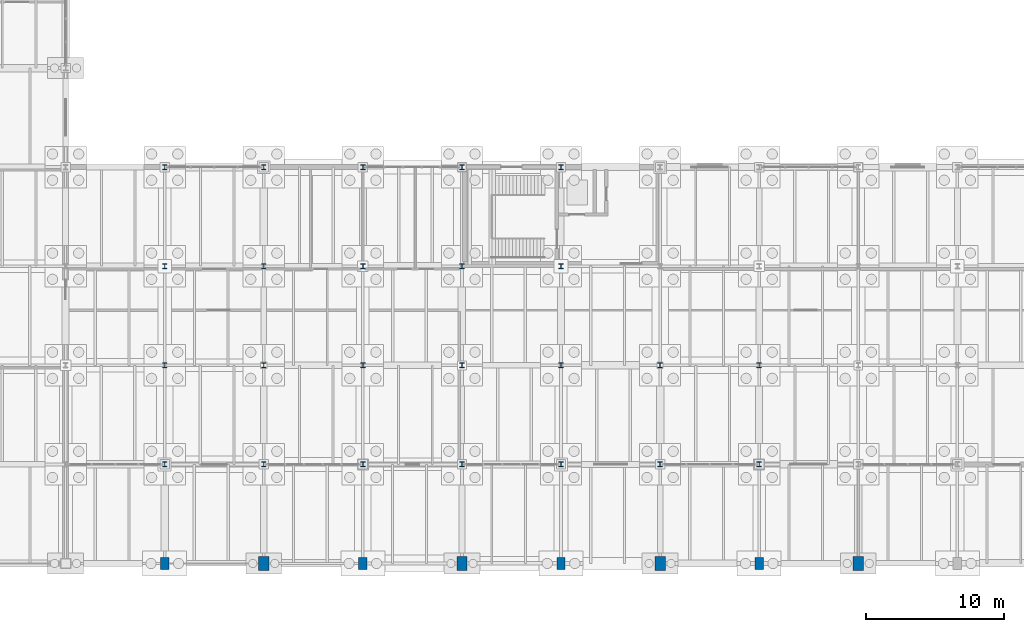
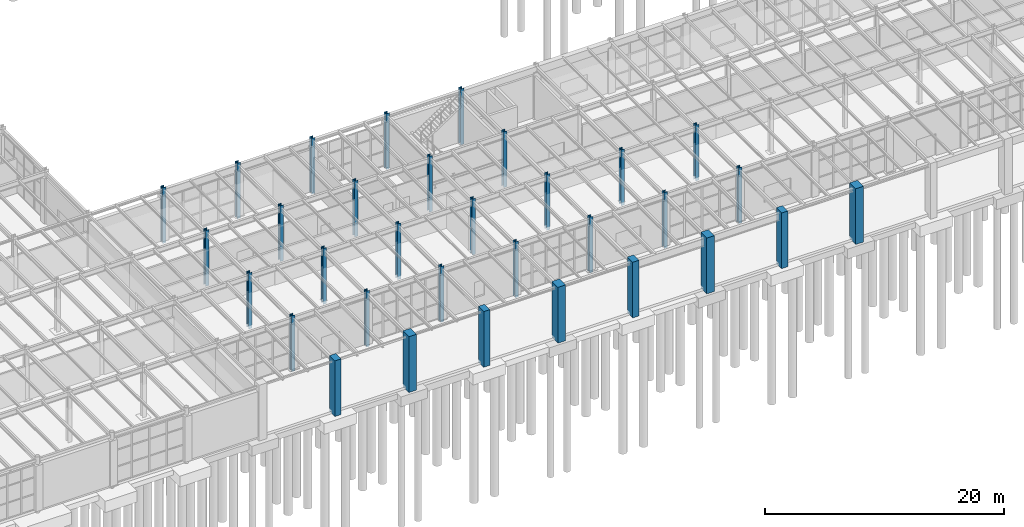
# One storey, part 19 of 293: 32 columns.
"""IFC4 building model written with IfcOpenShell, lengths in metres."""

from ifc_helpers import new_model, si_unit, direction, frame, origin, origin_2d, place, context, subcontext, project, spatial, rectangle, i_section, extrude, material, material_profile, profile_set, type_object, element, save


model = new_model("IFC4")

# Units and contexts
model_context = context("Model", 3, precision=1e-05, world=origin(), true_north=direction((0.0, 1.0)))
body_context = subcontext(model_context, "Body", "Model", "MODEL_VIEW")
ifc_project = project(units=[si_unit("LENGTHUNIT", "METRE"), si_unit("AREAUNIT", "SQUARE_METRE"), si_unit("VOLUMEUNIT", "CUBIC_METRE"), si_unit("PLANEANGLEUNIT", "RADIAN"), si_unit("MASSUNIT", "GRAM", prefix="KILO")], contexts=[model_context])

# Site, building, storey
site_placement = place(None, origin())
site = spatial("IfcSite", under=ifc_project, at=site_placement, CompositionType="ELEMENT")
building_placement = place(site_placement, origin())
building = spatial("IfcBuilding", under=site, at=building_placement, Name="Kemerveld Promenade Tramway Depot", CompositionType="ELEMENT")
storey_placement = place(building_placement, origin())
storey = spatial("IfcBuildingStorey", under=building, at=storey_placement, Name="L00", CompositionType="ELEMENT", Elevation=0.0)

# Columns
ifc_material_1 = material(Name="Concrete C40/50", Category="concrete")
ifc_material_profile_1 = material_profile(ifc_material_1, rectangle(XDim=0.60009765625, YDim=0.89990234375, at=origin_2d()), Name="RC-PIER-900x600")
ifc_profile_set_1 = profile_set([ifc_material_profile_1], Name="Concrete C40/50")
column_type_1 = type_object("IfcColumnType", Name="COL-RC3", PredefinedType="COLUMN", material=ifc_profile_set_1)
for number, where, z_axis, x_axis, name in (
    (1, (64.800048828125, 0.0, -0.300048828125), (0.0, 0.0, 1.0), (1.0, 0.0, 0.0), "COL-L00-10-A"),
    (2, (79.199951171875, 0.0, -0.300048828125), (0.0, 0.0, 1.0), (1.0, 0.0, 0.0), "COL-L00-12-A"),
    (3, (93.60009765625, 0.0, -0.300048828125), (0.0, 0.0, 1.0), (1.0, 0.0, 0.0), "COL-L00-14-A"),
    (4, (108.0, 0.0, -0.300048828125), (0.0, 0.0, 1.0), (1.0, 0.0, 0.0), "COL-L00-16-A"),
):
    element("IfcColumn", number, at=place(storey_placement, frame(where, z_axis=z_axis, x_axis=x_axis)), inside=storey, type_object=column_type_1, Name=name, PredefinedType="COLUMN", context=body_context, shape_type="SweptSolid", body=[
        extrude(rectangle(XDim=0.60009765625, YDim=0.89990234375, at=origin_2d()), origin(), (0.0, 0.0, 1.0), 5.699951171875),
    ])
ifc_material_profile_2 = material_profile(ifc_material_1, rectangle(XDim=0.75, YDim=1.0, at=origin_2d()), Name="RC-PIER-1000x750")
ifc_profile_set_2 = profile_set([ifc_material_profile_2], Name="Concrete C40/50")
column_type_2 = type_object("IfcColumnType", Name="COL-RC4", PredefinedType="COLUMN", material=ifc_profile_set_2)
for number, where, z_axis, x_axis, name in (
    (5, (72.0, 0.0, -0.300048828125), (0.0, 0.0, 1.0), (1.0, 0.0, 0.0), "COL-L00-11-A"),
    (6, (86.39990234375, 0.0, -0.300048828125), (0.0, 0.0, 1.0), (1.0, 0.0, 0.0), "COL-L00-13-A"),
    (7, (100.800048828125, 0.0, -0.300048828125), (0.0, 0.0, 1.0), (1.0, 0.0, 0.0), "COL-L00-15-A"),
    (8, (115.199951171875, 0.0, -0.300048828125), (0.0, 0.0, 1.0), (1.0, 0.0, 0.0), "COL-L00-17-A"),
):
    element("IfcColumn", number, at=place(storey_placement, frame(where, z_axis=z_axis, x_axis=x_axis)), inside=storey, type_object=column_type_2, Name=name, PredefinedType="COLUMN", context=body_context, shape_type="SweptSolid", body=[
        extrude(rectangle(XDim=0.75, YDim=1.0, at=origin_2d()), origin(), (0.0, 0.0, 1.0), 5.699951171875),
    ])
ifc_material_2 = material(Name="Steel S355", Category="steel")
ifc_material_profile_3 = material_profile(ifc_material_2, i_section(OverallWidth=0.318359375, OverallDepth=0.3525390625, WebThickness=0.02294921875, FlangeThickness=0.03759765625, FilletRadius=0.01513671875, at=origin_2d()), Name="305x305x240 UC")
ifc_profile_set_3 = profile_set([ifc_material_profile_3], Name="Steel S355")
column_type_3 = type_object("IfcColumnType", Name="COL-S04", PredefinedType="COLUMN", material=ifc_profile_set_3)
for number, where, z_axis, x_axis, name in (
    (9, (64.800048828125, 7.199951171875, -0.300048828125), (0.0, 0.0, 1.0), (1.0, 0.0, 0.0), "COL-L00-10-B"),
    (10, (64.800048828125, 14.39990234375, -0.300048828125), (0.0, 0.0, 1.0), (1.0, 0.0, 0.0), "COL-L00-10-C"),
    (11, (64.800048828125, 21.60009765625, -0.300048828125), (0.0, 0.0, 1.0), (1.0, 0.0, 0.0), "COL-L00-10-D"),
    (12, (64.800048828125, 28.800048828125, -0.300048828125), (0.0, 0.0, 1.0), (1.0, 0.0, 0.0), "COL-L00-10-E"),
    (13, (72.0, 7.199951171875, -0.300048828125), (0.0, 0.0, 1.0), (1.0, 0.0, 0.0), "COL-L00-11-B"),
    (14, (72.0, 14.39990234375, -0.300048828125), (0.0, 0.0, 1.0), (1.0, 0.0, 0.0), "COL-L00-11-C"),
    (15, (72.0, 21.60009765625, -0.300048828125), (0.0, 0.0, 1.0), (1.0, 0.0, 0.0), "COL-L00-11-D"),
    (16, (72.0, 28.800048828125, -0.300048828125), (0.0, 0.0, 1.0), (1.0, 0.0, 0.0), "COL-L00-11-E"),
    (17, (79.199951171875, 7.199951171875, -0.300048828125), (0.0, 0.0, 1.0), (1.0, 0.0, 0.0), "COL-L00-12-B"),
    (18, (79.199951171875, 14.39990234375, -0.300048828125), (0.0, 0.0, 1.0), (1.0, 0.0, 0.0), "COL-L00-12-C"),
    (19, (79.199951171875, 21.60009765625, -0.300048828125), (0.0, 0.0, 1.0), (1.0, 0.0, 0.0), "COL-L00-12-D"),
    (20, (79.199951171875, 28.800048828125, -0.300048828125), (0.0, 0.0, 1.0), (1.0, 0.0, 0.0), "COL-L00-12-E"),
    (21, (86.39990234375, 7.199951171875, -0.300048828125), (0.0, 0.0, 1.0), (1.0, 0.0, 0.0), "COL-L00-13-B"),
    (22, (86.39990234375, 14.39990234375, -0.300048828125), (0.0, 0.0, 1.0), (1.0, 0.0, 0.0), "COL-L00-13-C"),
    (23, (86.39990234375, 21.60009765625, -0.300048828125), (0.0, 0.0, 1.0), (1.0, 0.0, 0.0), "COL-L00-13-D"),
    (24, (86.39990234375, 28.800048828125, -0.300048828125), (0.0, 0.0, 1.0), (1.0, 0.0, 0.0), "COL-L00-13-E"),
    (25, (93.60009765625, 7.199951171875, -0.300048828125), (0.0, 0.0, 1.0), (1.0, 0.0, 0.0), "COL-L00-14-B"),
    (26, (93.60009765625, 14.39990234375, -0.300048828125), (0.0, 0.0, 1.0), (1.0, 0.0, 0.0), "COL-L00-14-C"),
    (27, (93.60009765625, 21.60009765625, -0.300048828125), (0.0, 0.0, 1.0), (1.0, 0.0, 0.0), "COL-L00-14-D"),
    (28, (93.60009765625, 28.800048828125, -0.300048828125), (0.0, 0.0, 1.0), (1.0, 0.0, 0.0), "COL-L00-14-E"),
    (29, (100.800048828125, 7.199951171875, -0.300048828125), (0.0, 0.0, 1.0), (1.0, 0.0, 0.0), "COL-L00-15-B"),
    (30, (100.800048828125, 14.39990234375, -0.300048828125), (0.0, 0.0, 1.0), (1.0, 0.0, 0.0), "COL-L00-15-C"),
    (31, (108.0, 7.199951171875, -0.300048828125), (0.0, 0.0, 1.0), (1.0, 0.0, 0.0), "COL-L00-16-B"),
    (32, (108.0, 14.39990234375, -0.300048828125), (0.0, 0.0, 1.0), (1.0, 0.0, 0.0), "COL-L00-16-C"),
):
    element("IfcColumn", number, at=place(storey_placement, frame(where, z_axis=z_axis, x_axis=x_axis)), inside=storey, type_object=column_type_3, Name=name, PredefinedType="COLUMN", context=body_context, shape_type="SweptSolid", body=[
        extrude(i_section(OverallWidth=0.318359375, OverallDepth=0.3525390625, WebThickness=0.02294921875, FlangeThickness=0.03759765625, FilletRadius=0.01513671875, at=origin_2d()), origin(), (0.0, 0.0, 1.0), 5.699951171875),
    ])

save(model, "model.ifc")
